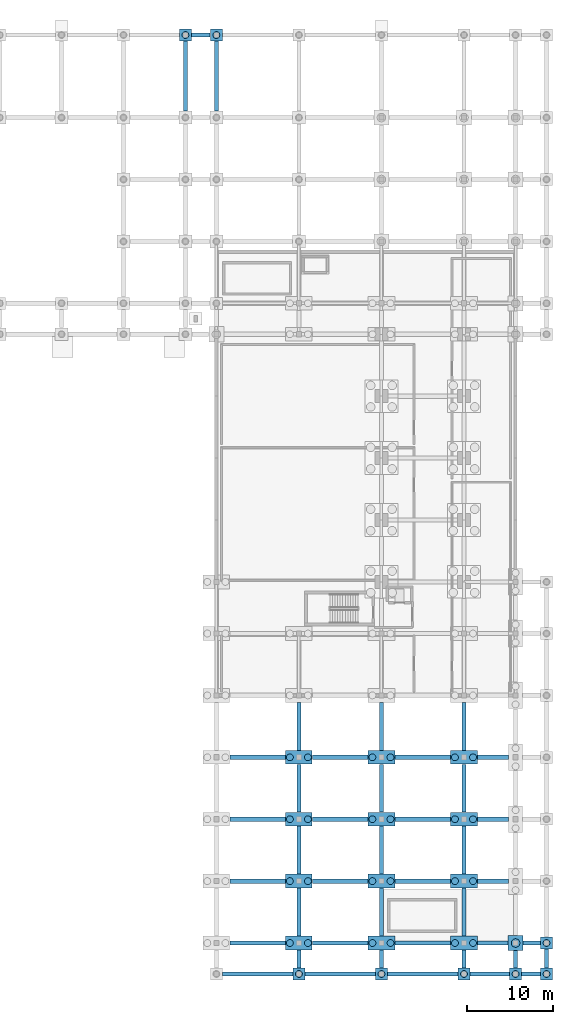
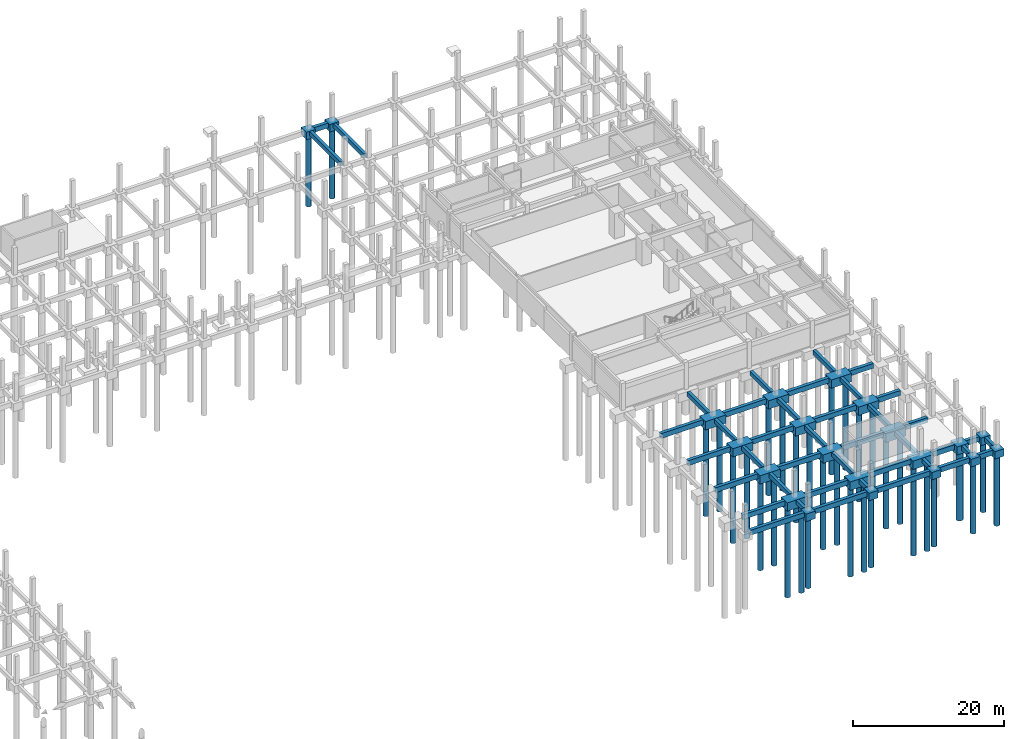
# One storey, part 8 of 20: 63 footings, 33 piles.
"""IFC4 building model written with IfcOpenShell, lengths in metres."""

import ifcopenshell
import ifcopenshell.guid

model = None  # the IFC model being written
_history = None  # IfcOwnerHistory: only IFC2X3 demands one
_inside = {}  # id of a spatial element -> (the spatial element, [elements in it])
_under = {}  # id of a project, library or spatial element -> (it, [spatial elements below it])
_declared = {}  # id of a project -> (the project, [libraries it declares])
_typed = {}  # id of a type object -> (the type object, [elements of that type])
_made_of = {}  # id of a material, layer set ... -> (it, [elements and type objects made of it])


def new_model(schema):
    """Start an empty IFC model of exactly this schema.

    Asked for "IFC4X3", IfcOpenShell would pick the latest addendum, in which some entities
    have other attributes; the version numbers below select the first issue.
    IFC2X3 requires an IfcOwnerHistory on every rooted entity: one is made here for all.
    """
    global model, _history
    if schema == "IFC4X3":
        model = ifcopenshell.file(schema_version=(4, 3, 0, 0))
    else:
        model = ifcopenshell.file(schema=schema)
    _inside.clear()
    _under.clear()
    _declared.clear()
    _typed.clear()
    _made_of.clear()
    _history = None
    if model.schema == "IFC2X3":
        org = make("IfcOrganization", Name="unknown")
        user = make(
            "IfcPersonAndOrganization",
            ThePerson=make("IfcPerson", FamilyName="unknown"),
            TheOrganization=org,
        )
        app = make(
            "IfcApplication",
            ApplicationDeveloper=org,
            Version="unknown",
            ApplicationFullName="unknown",
            ApplicationIdentifier="unknown",
        )
        _history = make(
            "IfcOwnerHistory",
            OwningUser=user,
            OwningApplication=app,
            ChangeAction="ADDED",
            CreationDate=0,
        )
    return model


def make(cls, **values):
    """One entity of the class cls with the attributes given. An attribute that is None is left unset."""
    return model.create_entity(
        cls, **{name: value for name, value in values.items() if value is not None}
    )


def rooted(cls, **values):
    """An entity with a GlobalId (a new one), such as an element, a storey or a relation."""
    return make(cls, GlobalId=ifcopenshell.guid.new(), OwnerHistory=_history, **values)


def si_unit(unit_type, name, prefix=None):
    """IfcSIUnit, for example si_unit("LENGTHUNIT", "METRE", prefix="MILLI")."""
    return make("IfcSIUnit", UnitType=unit_type, Prefix=prefix, Name=name)


def assignment(units):
    """IfcUnitAssignment: the units of a project."""
    return None if units is None else make("IfcUnitAssignment", Units=units)


def point(xyz):
    """IfcCartesianPoint."""
    return None if xyz is None else make("IfcCartesianPoint", Coordinates=xyz)


def direction(xyz):
    """IfcDirection."""
    return None if xyz is None else make("IfcDirection", DirectionRatios=xyz)


def frame(location, z_axis=None, x_axis=None):
    """IfcAxis2Placement3D, a coordinate frame: its origin and axes. An axis left out is left unset."""
    return make(
        "IfcAxis2Placement3D",
        Location=point(location),
        Axis=direction(z_axis),
        RefDirection=direction(x_axis),
    )


def frame_2d(location, x_axis=None):
    """IfcAxis2Placement2D, a coordinate frame in the plane: its origin and x axis."""
    return make(
        "IfcAxis2Placement2D", Location=point(location), RefDirection=direction(x_axis)
    )


def origin():
    """The frame at (0, 0, 0) with its axes left unset."""
    return frame((0.0, 0.0, 0.0))


def origin_2d():
    """The frame at (0, 0) in the plane with its x axis left unset."""
    return frame_2d((0.0, 0.0))


def place(relative_to, where):
    """IfcLocalPlacement: puts the frame where relative to a parent placement (None: the world)."""
    return make(
        "IfcLocalPlacement", PlacementRelTo=relative_to, RelativePlacement=where
    )


def context(
    kind, dimensions, precision=None, world=None, true_north=None, identifier=None
):
    """IfcGeometricRepresentationContext, for example the 3D "Model" context."""
    return make(
        "IfcGeometricRepresentationContext",
        ContextIdentifier=identifier,
        ContextType=kind,
        CoordinateSpaceDimension=dimensions,
        Precision=precision,
        WorldCoordinateSystem=world,
        TrueNorth=true_north,
    )


def subcontext(parent, identifier, kind, view, scale=None):
    """IfcGeometricRepresentationSubContext, for example "Body" below "Model"."""
    return make(
        "IfcGeometricRepresentationSubContext",
        ContextIdentifier=identifier,
        ContextType=kind,
        ParentContext=parent,
        TargetScale=scale,
        TargetView=view,
    )


def project(units=None, contexts=None):
    """IfcProject with its units and contexts."""
    return rooted(
        "IfcProject",
        Name="project",
        RepresentationContexts=contexts,
        UnitsInContext=assignment(units),
    )


def spatial(cls, under=None, at=None, **own):
    """A site, building, storey or space (cls), placed at a placement, below another one or the project."""
    s = rooted(cls, ObjectPlacement=at, **own)
    if under is not None:
        _under.setdefault(under.id(), (under, []))[1].append(s)
    return s


def polyline(points):
    """IfcPolyline through the points."""
    return make("IfcPolyline", Points=[point(p) for p in points])


def profile(cls, at=None, kind="AREA", **sizes):
    """A parametric profile (cls). Its sizes go by their IFC names, for example OverallWidth=200.0."""
    return make(cls, ProfileType=kind, Position=at, **sizes)


def rectangle(**sizes):
    """IfcRectangleProfileDef."""
    return profile("IfcRectangleProfileDef", **sizes)


def circle(**sizes):
    """IfcCircleProfileDef."""
    return profile("IfcCircleProfileDef", **sizes)


def outline(outer, holes=None, kind="AREA"):
    """IfcArbitraryClosedProfileDef: a profile drawn as a closed curve; with holes, ...WithVoids."""
    if holes is None:
        return make("IfcArbitraryClosedProfileDef", ProfileType=kind, OuterCurve=outer)
    return make(
        "IfcArbitraryProfileDefWithVoids",
        ProfileType=kind,
        OuterCurve=outer,
        InnerCurves=holes,
    )


def extrude(swept, where, along, depth):
    """IfcExtrudedAreaSolid: the profile swept, set in the frame where, extruded along a direction by depth."""
    return make(
        "IfcExtrudedAreaSolid",
        SweptArea=swept,
        Position=where,
        ExtrudedDirection=direction(along),
        Depth=depth,
    )


def shape(context_of_items, identifier, shape_type, items):
    """IfcShapeRepresentation: the items that make up one representation, for example the "Body"."""
    return make(
        "IfcShapeRepresentation",
        ContextOfItems=context_of_items,
        RepresentationIdentifier=identifier,
        RepresentationType=shape_type,
        Items=items,
    )


def material(Name=None, Category=None):
    """IfcMaterial."""
    return make("IfcMaterial", Name=Name, Category=Category)


def material_profile(
    of_material, cross_section, Name=None, Category=None, Priority=None
):
    """IfcMaterialProfile: a cross section and its material."""
    return make(
        "IfcMaterialProfile",
        Name=Name,
        Material=of_material,
        Profile=cross_section,
        Priority=Priority,
        Category=Category,
    )


def profile_set(profiles, Name=None, composite=None):
    """IfcMaterialProfileSet."""
    return make(
        "IfcMaterialProfileSet",
        Name=Name,
        MaterialProfiles=profiles,
        CompositeProfile=composite,
    )


def made_of(thing, what):
    """Note that an element or type object is made of a material, layer set ...; save() writes the relation."""
    if what is not None:
        _made_of.setdefault(what.id(), (what, []))[1].append(thing)
    return thing


def type_object(cls, material=None, **own):
    """A type object (cls), such as IfcWallType, which elements share."""
    return made_of(rooted(cls, **own), material)


def element(
    cls,
    number,
    at=None,
    inside=None,
    cuts=None,
    type_object=None,
    material=None,
    context=None,
    identifier="Body",
    shape_type=None,
    held_by="IfcProductDefinitionShape",
    body=None,
    shapes=None,
    **own,
):
    """One element of the class cls, such as IfcWall. Its Tag is "e" and its number.

    at: its placement. inside: the storey or other place that contains it. cuts: it is an
    opening in that element (IfcRelVoidsElement). A single representation is given by context,
    identifier, shape_type and body (its items); several are given by shapes. held_by: the class
    of the entity that holds the representations. save() writes the other relations.
    """
    e = rooted(cls, Tag="e%d" % number, ObjectPlacement=at, **own)
    if body is not None:
        shapes = [shape(context, identifier, shape_type, body)]
    if shapes is not None:
        e.Representation = make(held_by, Representations=shapes)
    if inside is not None:
        _inside.setdefault(inside.id(), (inside, []))[1].append(e)
    if cuts is not None:
        rooted(
            "IfcRelVoidsElement", RelatingBuildingElement=cuts, RelatedOpeningElement=e
        )
    if type_object is not None:
        _typed.setdefault(type_object.id(), (type_object, []))[1].append(e)
    return made_of(e, material)


def aggregate(whole, parts):
    """IfcRelAggregates: a whole, such as a stair, and the parts it consists of."""
    return rooted("IfcRelAggregates", RelatingObject=whole, RelatedObjects=parts)


def save(model, path):
    """Write the relations noted so far, then the file.

    IfcRelAggregates (storeys below a building ...), IfcRelContainedInSpatialStructure (elements
    in a storey), IfcRelDefinesByType, IfcRelAssociatesMaterial and IfcRelDeclares: one each for
    every whole, place, type object, material and project.
    """
    for whole, parts in _under.values():
        aggregate(whole, parts)
    for where, things in _inside.values():
        rooted(
            "IfcRelContainedInSpatialStructure",
            RelatedElements=things,
            RelatingStructure=where,
        )
    for kind, things in _typed.values():
        rooted("IfcRelDefinesByType", RelatedObjects=things, RelatingType=kind)
    for what, things in _made_of.values():
        rooted("IfcRelAssociatesMaterial", RelatedObjects=things, RelatingMaterial=what)
    for by, libraries in _declared.values():
        rooted("IfcRelDeclares", RelatingContext=by, RelatedDefinitions=libraries)
    model.write(path)


model = new_model("IFC4")

# Units and contexts
model_context = context("Model", 3, precision=1e-05, world=origin(), true_north=direction((0.0, 1.0)))
body_context = subcontext(model_context, "Body", "Model", "MODEL_VIEW")
ifc_project = project(units=[si_unit("LENGTHUNIT", "METRE"), si_unit("AREAUNIT", "SQUARE_METRE"), si_unit("VOLUMEUNIT", "CUBIC_METRE"), si_unit("PLANEANGLEUNIT", "RADIAN"), si_unit("MASSUNIT", "GRAM", prefix="KILO")], contexts=[model_context])

# Site, building, storey
site_placement = place(None, origin())
site = spatial("IfcSite", under=ifc_project, at=site_placement, CompositionType="ELEMENT")
building_placement = place(site_placement, origin())
building = spatial("IfcBuilding", under=site, at=building_placement, Name="Nzembalo Square Collegiate School", CompositionType="ELEMENT")
storey_placement = place(building_placement, frame((0.0, 0.0, -4.080078125)))
storey = spatial("IfcBuildingStorey", under=building, at=storey_placement, Name="B1", CompositionType="ELEMENT", Elevation=-4.080078125)

# Footings
ifc_material_1 = material(Name="Concrete C35/45", Category="concrete")
footing_type_1 = type_object("IfcFootingType", Name="PC03", PredefinedType="PILE_CAP", material=ifc_material_1)
for number, where, z_axis, x_axis, name in (
    (1, (140.39990234375, 8.39990234375, -1.64990234375), (0.0, 0.0, 1.0), (1.0, 0.0, 0.0), "Pile cap PC03 at 21/B"),
    (2, (140.39990234375, 15.60009765625, -1.64990234375), (0.0, 0.0, 1.0), (1.0, 0.0, 0.0), "Pile cap PC03 at 21/C"),
    (3, (140.39990234375, 22.800048828125, -1.64990234375), (0.0, 0.0, 1.0), (1.0, 0.0, 0.0), "Pile cap PC03 at 21/D"),
    (4, (140.39990234375, 30.0, -1.64990234375), (0.0, 0.0, 1.0), (1.0, 0.0, 0.0), "Pile cap PC03 at 21/E"),
    (5, (150.0, 8.39990234375, -1.64990234375), (0.0, 0.0, 1.0), (1.0, 0.0, 0.0), "Pile cap PC03 at 22/B"),
    (6, (150.0, 15.60009765625, -1.64990234375), (0.0, 0.0, 1.0), (1.0, 0.0, 0.0), "Pile cap PC03 at 22/C"),
    (7, (150.0, 22.800048828125, -1.64990234375), (0.0, 0.0, 1.0), (1.0, 0.0, 0.0), "Pile cap PC03 at 22/D"),
    (8, (150.0, 30.0, -1.64990234375), (0.0, 0.0, 1.0), (1.0, 0.0, 0.0), "Pile cap PC03 at 22/E"),
    (9, (159.60009765625, 8.39990234375, -1.64990234375), (0.0, 0.0, 1.0), (1.0, 0.0, 0.0), "Pile cap PC03 at 23/B"),
    (10, (159.60009765625, 15.60009765625, -1.64990234375), (0.0, 0.0, 1.0), (1.0, 0.0, 0.0), "Pile cap PC03 at 23/C"),
    (11, (159.60009765625, 22.800048828125, -1.64990234375), (0.0, 0.0, 1.0), (1.0, 0.0, 0.0), "Pile cap PC03 at 23/D"),
    (12, (159.60009765625, 30.0, -1.64990234375), (0.0, 0.0, 1.0), (1.0, 0.0, 0.0), "Pile cap PC03 at 23/E"),
):
    element("IfcFooting", number, at=place(storey_placement, frame(where, z_axis=z_axis, x_axis=x_axis)), inside=storey, type_object=footing_type_1, Name=name, PredefinedType="PILE_CAP", context=body_context, shape_type="SweptSolid", body=[
        extrude(rectangle(XDim=3.10009765625, YDim=1.60009765625, at=origin_2d()), origin(), (0.0, 0.0, 1.0), 1.35009765625),
    ])
ifc_material_2 = material(Name="Concrete C35/45", Category="concrete")
footing_type_2 = type_object("IfcFootingType", Name="PC05", PredefinedType="PILE_CAP", material=ifc_material_2)
footing_1_placement = place(storey_placement, frame((165.60009765625, 8.39990234375, -1.60009765625), z_axis=(0.0, 0.0, 1.0), x_axis=(1.0, 0.0, 0.0)))
element("IfcFooting", 13, at=footing_1_placement, inside=storey, type_object=footing_type_2, Name="Pile cap PC05 at 24/B", PredefinedType="PILE_CAP", context=body_context, shape_type="SweptSolid", body=[
    extrude(rectangle(XDim=1.75, YDim=1.75, at=origin_2d()), origin(), (0.0, 0.0, 1.0), 1.300048828125),
])
ifc_material_3 = material(Name="Concrete C35/45", Category="concrete")
footing_type_3 = type_object("IfcFootingType", Name="PC07", PredefinedType="PILE_CAP", material=ifc_material_3)
for number, where, z_axis, x_axis, name in (
    (14, (127.199951171875, 114.0, -1.5), (0.0, 0.0, 1.0), (1.0, 0.0, 0.0), "Pile cap PC07 at 19/Q"),
    (15, (130.800048828125, 114.0, -1.5), (0.0, 0.0, 1.0), (1.0, 0.0, 0.0), "Pile cap PC07 at 20/Q"),
    (16, (140.39990234375, 4.800048828125, -1.5), (0.0, 0.0, 1.0), (1.0, 0.0, 0.0), "Pile cap PC07 at 21/A"),
    (17, (150.0, 4.800048828125, -1.5), (0.0, 0.0, 1.0), (1.0, 0.0, 0.0), "Pile cap PC07 at 22/A"),
    (18, (159.60009765625, 4.800048828125, -1.5), (0.0, 0.0, 1.0), (1.0, 0.0, 0.0), "Pile cap PC07 at 23/A"),
    (19, (165.60009765625, 4.800048828125, -1.5), (0.0, 0.0, 1.0), (1.0, 0.0, 0.0), "Pile cap PC07 at 24/A"),
    (20, (169.199951171875, 4.800048828125, -1.5), (0.0, 0.0, 1.0), (1.0, 0.0, 0.0), "Pile cap PC07 at 25/A"),
    (21, (169.199951171875, 8.39990234375, -1.5), (0.0, 0.0, 1.0), (1.0, 0.0, 0.0), "Pile cap PC07 at 25/B"),
):
    element("IfcFooting", number, at=place(storey_placement, frame(where, z_axis=z_axis, x_axis=x_axis)), inside=storey, type_object=footing_type_3, Name=name, PredefinedType="PILE_CAP", context=body_context, shape_type="SweptSolid", body=[
        extrude(rectangle(XDim=1.39990234375, YDim=1.39990234375, at=origin_2d()), origin(), (0.0, 0.0, 1.0), 1.199951171875),
    ])
ifc_material_4 = material(Name="Concrete C30/37", Category="concrete")
footing_type_4 = type_object("IfcFootingType", Name="FG01", PredefinedType="FOOTING_BEAM", material=ifc_material_4)
footing_2_placement = place(storey_placement, frame((0.0, 0.0, -1.099853515625)))
element("IfcFooting", 22, at=footing_2_placement, inside=storey, type_object=footing_type_4, Name="Ground beam FG01 20-21/A", PredefinedType="FOOTING_BEAM", context=body_context, shape_type="SweptSolid", body=[
    extrude(outline(polyline([(131.510009765625, 4.550048828125), (139.68994140625, 4.550048828125), (139.68994140625, 5.050048828125), (131.510009765625, 5.050048828125), (131.510009765625, 4.550048828125)])), origin(), (0.0, 0.0, 1.0), 0.800048828125),
])
footing_3_placement = place(storey_placement, frame((0.0, 0.0, -1.099853515625)))
element("IfcFooting", 23, at=footing_3_placement, inside=storey, type_object=footing_type_4, Name="Ground beam FG01 21-22/A", PredefinedType="FOOTING_BEAM", context=body_context, shape_type="SweptSolid", body=[
    extrude(outline(polyline([(141.110107421875, 4.550048828125), (149.2900390625, 4.550048828125), (149.2900390625, 5.050048828125), (141.110107421875, 5.050048828125), (141.110107421875, 4.550048828125)])), origin(), (0.0, 0.0, 1.0), 0.800048828125),
])
footing_4_placement = place(storey_placement, frame((0.0, 0.0, -1.099853515625)))
element("IfcFooting", 24, at=footing_4_placement, inside=storey, type_object=footing_type_4, Name="Ground beam FG01 22-23/A", PredefinedType="FOOTING_BEAM", context=body_context, shape_type="SweptSolid", body=[
    extrude(outline(polyline([(150.7099609375, 4.550048828125), (158.889892578125, 4.550048828125), (158.889892578125, 5.050048828125), (150.7099609375, 5.050048828125), (150.7099609375, 4.550048828125)])), origin(), (0.0, 0.0, 1.0), 0.800048828125),
])
footing_5_placement = place(storey_placement, frame((0.0, 0.0, -1.099853515625)))
element("IfcFooting", 25, at=footing_5_placement, inside=storey, type_object=footing_type_4, Name="Ground beam FG01 23-24/A", PredefinedType="FOOTING_BEAM", context=body_context, shape_type="SweptSolid", body=[
    extrude(outline(polyline([(160.31005859375, 4.550048828125), (164.889892578125, 4.550048828125), (164.889892578125, 5.050048828125), (160.31005859375, 5.050048828125), (160.31005859375, 4.550048828125)])), origin(), (0.0, 0.0, 1.0), 0.800048828125),
])
footing_6_placement = place(storey_placement, frame((0.0, 0.0, -1.099853515625)))
element("IfcFooting", 26, at=footing_6_placement, inside=storey, type_object=footing_type_4, Name="Ground beam FG01 24-25/A", PredefinedType="FOOTING_BEAM", context=body_context, shape_type="SweptSolid", body=[
    extrude(outline(polyline([(166.31005859375, 4.550048828125), (168.489990234375, 4.550048828125), (168.489990234375, 5.050048828125), (166.31005859375, 5.050048828125), (166.31005859375, 4.550048828125)])), origin(), (0.0, 0.0, 1.0), 0.800048828125),
])
footing_7_placement = place(storey_placement, frame((0.0, 0.0, -1.099853515625)))
element("IfcFooting", 27, at=footing_7_placement, inside=storey, type_object=footing_type_4, Name="Ground beam FG01 20-21/B", PredefinedType="FOOTING_BEAM", context=body_context, shape_type="SweptSolid", body=[
    extrude(outline(polyline([(132.360107421875, 8.14990234375), (138.840087890625, 8.14990234375), (138.840087890625, 8.64990234375), (132.360107421875, 8.64990234375), (132.360107421875, 8.14990234375)])), origin(), (0.0, 0.0, 1.0), 0.800048828125),
])
footing_8_placement = place(storey_placement, frame((0.0, 0.0, -1.099853515625)))
element("IfcFooting", 28, at=footing_8_placement, inside=storey, type_object=footing_type_4, Name="Ground beam FG01 21-22/B", PredefinedType="FOOTING_BEAM", context=body_context, shape_type="SweptSolid", body=[
    extrude(outline(polyline([(141.9599609375, 8.14990234375), (148.43994140625, 8.14990234375), (148.43994140625, 8.64990234375), (141.9599609375, 8.64990234375), (141.9599609375, 8.14990234375)])), origin(), (0.0, 0.0, 1.0), 0.800048828125),
])
footing_9_placement = place(storey_placement, frame((0.0, 0.0, -1.099853515625)))
element("IfcFooting", 29, at=footing_9_placement, inside=storey, type_object=footing_type_4, Name="Ground beam FG01 22-23/B", PredefinedType="FOOTING_BEAM", context=body_context, shape_type="SweptSolid", body=[
    extrude(outline(polyline([(151.56005859375, 8.14990234375), (158.0400390625, 8.14990234375), (158.0400390625, 8.64990234375), (151.56005859375, 8.64990234375), (151.56005859375, 8.14990234375)])), origin(), (0.0, 0.0, 1.0), 0.800048828125),
])
footing_10_placement = place(storey_placement, frame((0.0, 0.0, -1.099853515625)))
element("IfcFooting", 30, at=footing_10_placement, inside=storey, type_object=footing_type_4, Name="Ground beam FG01 23-24/B", PredefinedType="FOOTING_BEAM", context=body_context, shape_type="SweptSolid", body=[
    extrude(outline(polyline([(161.159912109375, 8.14990234375), (164.715087890625, 8.14990234375), (164.715087890625, 8.64990234375), (161.159912109375, 8.64990234375), (161.159912109375, 8.14990234375)])), origin(), (0.0, 0.0, 1.0), 0.800048828125),
])
footing_11_placement = place(storey_placement, frame((0.0, 0.0, -1.099853515625)))
element("IfcFooting", 31, at=footing_11_placement, inside=storey, type_object=footing_type_4, Name="Ground beam FG01 24-25/B", PredefinedType="FOOTING_BEAM", context=body_context, shape_type="SweptSolid", body=[
    extrude(outline(polyline([(166.485107421875, 8.14990234375), (168.489990234375, 8.14990234375), (168.489990234375, 8.64990234375), (166.485107421875, 8.64990234375), (166.485107421875, 8.14990234375)])), origin(), (0.0, 0.0, 1.0), 0.800048828125),
])
footing_12_placement = place(storey_placement, frame((0.0, 0.0, -1.099853515625)))
element("IfcFooting", 32, at=footing_12_placement, inside=storey, type_object=footing_type_4, Name="Ground beam FG01 20-21/C", PredefinedType="FOOTING_BEAM", context=body_context, shape_type="SweptSolid", body=[
    extrude(outline(polyline([(132.360107421875, 15.35009765625), (138.840087890625, 15.35009765625), (138.840087890625, 15.85009765625), (132.360107421875, 15.85009765625), (132.360107421875, 15.35009765625)])), origin(), (0.0, 0.0, 1.0), 0.800048828125),
])
footing_13_placement = place(storey_placement, frame((0.0, 0.0, -1.099853515625)))
element("IfcFooting", 33, at=footing_13_placement, inside=storey, type_object=footing_type_4, Name="Ground beam FG01 21-22/C", PredefinedType="FOOTING_BEAM", context=body_context, shape_type="SweptSolid", body=[
    extrude(outline(polyline([(141.9599609375, 15.35009765625), (148.43994140625, 15.35009765625), (148.43994140625, 15.85009765625), (141.9599609375, 15.85009765625), (141.9599609375, 15.35009765625)])), origin(), (0.0, 0.0, 1.0), 0.800048828125),
])
footing_14_placement = place(storey_placement, frame((0.0, 0.0, -1.099853515625)))
element("IfcFooting", 34, at=footing_14_placement, inside=storey, type_object=footing_type_4, Name="Ground beam FG01 22-23/C", PredefinedType="FOOTING_BEAM", context=body_context, shape_type="SweptSolid", body=[
    extrude(outline(polyline([(151.56005859375, 15.35009765625), (158.0400390625, 15.35009765625), (158.0400390625, 15.85009765625), (151.56005859375, 15.85009765625), (151.56005859375, 15.35009765625)])), origin(), (0.0, 0.0, 1.0), 0.800048828125),
])
footing_15_placement = place(storey_placement, frame((0.0, 0.0, -1.099853515625)))
element("IfcFooting", 35, at=footing_15_placement, inside=storey, type_object=footing_type_4, Name="Ground beam FG01 23-24/C", PredefinedType="FOOTING_BEAM", context=body_context, shape_type="SweptSolid", body=[
    extrude(outline(polyline([(161.159912109375, 15.35009765625), (164.7900390625, 15.35009765625), (164.7900390625, 15.85009765625), (161.159912109375, 15.85009765625), (161.159912109375, 15.35009765625)])), origin(), (0.0, 0.0, 1.0), 0.800048828125),
])
footing_16_placement = place(storey_placement, frame((0.0, 0.0, -1.099853515625)))
element("IfcFooting", 36, at=footing_16_placement, inside=storey, type_object=footing_type_4, Name="Ground beam FG01 20-21/D", PredefinedType="FOOTING_BEAM", context=body_context, shape_type="SweptSolid", body=[
    extrude(outline(polyline([(132.360107421875, 22.550048828125), (138.840087890625, 22.550048828125), (138.840087890625, 23.050048828125), (132.360107421875, 23.050048828125), (132.360107421875, 22.550048828125)])), origin(), (0.0, 0.0, 1.0), 0.800048828125),
])
footing_17_placement = place(storey_placement, frame((0.0, 0.0, -1.099853515625)))
element("IfcFooting", 37, at=footing_17_placement, inside=storey, type_object=footing_type_4, Name="Ground beam FG01 21-22/D", PredefinedType="FOOTING_BEAM", context=body_context, shape_type="SweptSolid", body=[
    extrude(outline(polyline([(141.9599609375, 22.550048828125), (148.43994140625, 22.550048828125), (148.43994140625, 23.050048828125), (141.9599609375, 23.050048828125), (141.9599609375, 22.550048828125)])), origin(), (0.0, 0.0, 1.0), 0.800048828125),
])
footing_18_placement = place(storey_placement, frame((0.0, 0.0, -1.099853515625)))
element("IfcFooting", 38, at=footing_18_placement, inside=storey, type_object=footing_type_4, Name="Ground beam FG01 22-23/D", PredefinedType="FOOTING_BEAM", context=body_context, shape_type="SweptSolid", body=[
    extrude(outline(polyline([(151.56005859375, 22.550048828125), (158.0400390625, 22.550048828125), (158.0400390625, 23.050048828125), (151.56005859375, 23.050048828125), (151.56005859375, 22.550048828125)])), origin(), (0.0, 0.0, 1.0), 0.800048828125),
])
footing_19_placement = place(storey_placement, frame((0.0, 0.0, -1.099853515625)))
element("IfcFooting", 39, at=footing_19_placement, inside=storey, type_object=footing_type_4, Name="Ground beam FG01 23-24/D", PredefinedType="FOOTING_BEAM", context=body_context, shape_type="SweptSolid", body=[
    extrude(outline(polyline([(161.159912109375, 22.550048828125), (164.7900390625, 22.550048828125), (164.7900390625, 23.050048828125), (161.159912109375, 23.050048828125), (161.159912109375, 22.550048828125)])), origin(), (0.0, 0.0, 1.0), 0.800048828125),
])
footing_20_placement = place(storey_placement, frame((0.0, 0.0, -1.099853515625)))
element("IfcFooting", 40, at=footing_20_placement, inside=storey, type_object=footing_type_4, Name="Ground beam FG01 20-21/E", PredefinedType="FOOTING_BEAM", context=body_context, shape_type="SweptSolid", body=[
    extrude(outline(polyline([(132.360107421875, 29.75), (138.840087890625, 29.75), (138.840087890625, 30.25), (132.360107421875, 30.25), (132.360107421875, 29.75)])), origin(), (0.0, 0.0, 1.0), 0.800048828125),
])
footing_21_placement = place(storey_placement, frame((0.0, 0.0, -1.099853515625)))
element("IfcFooting", 41, at=footing_21_placement, inside=storey, type_object=footing_type_4, Name="Ground beam FG01 21-22/E", PredefinedType="FOOTING_BEAM", context=body_context, shape_type="SweptSolid", body=[
    extrude(outline(polyline([(141.9599609375, 29.75), (148.43994140625, 29.75), (148.43994140625, 30.25), (141.9599609375, 30.25), (141.9599609375, 29.75)])), origin(), (0.0, 0.0, 1.0), 0.800048828125),
])
footing_22_placement = place(storey_placement, frame((0.0, 0.0, -1.099853515625)))
element("IfcFooting", 42, at=footing_22_placement, inside=storey, type_object=footing_type_4, Name="Ground beam FG01 22-23/E", PredefinedType="FOOTING_BEAM", context=body_context, shape_type="SweptSolid", body=[
    extrude(outline(polyline([(151.56005859375, 29.75), (158.0400390625, 29.75), (158.0400390625, 30.25), (151.56005859375, 30.25), (151.56005859375, 29.75)])), origin(), (0.0, 0.0, 1.0), 0.800048828125),
])
footing_23_placement = place(storey_placement, frame((0.0, 0.0, -1.099853515625)))
element("IfcFooting", 43, at=footing_23_placement, inside=storey, type_object=footing_type_4, Name="Ground beam FG01 23-24/E", PredefinedType="FOOTING_BEAM", context=body_context, shape_type="SweptSolid", body=[
    extrude(outline(polyline([(161.159912109375, 29.75), (164.7900390625, 29.75), (164.7900390625, 30.25), (161.159912109375, 30.25), (161.159912109375, 29.75)])), origin(), (0.0, 0.0, 1.0), 0.800048828125),
])
footing_24_placement = place(storey_placement, frame((0.0, 0.0, -1.099853515625)))
element("IfcFooting", 44, at=footing_24_placement, inside=storey, type_object=footing_type_4, Name="Ground beam FG01 19-20/Q", PredefinedType="FOOTING_BEAM", context=body_context, shape_type="SweptSolid", body=[
    extrude(outline(polyline([(127.909912109375, 113.75), (130.090087890625, 113.75), (130.090087890625, 114.25), (127.909912109375, 114.25), (127.909912109375, 113.75)])), origin(), (0.0, 0.0, 1.0), 0.800048828125),
])
ifc_material_5 = material(Name="Concrete C30/37", Category="concrete")
footing_type_5 = type_object("IfcFootingType", Name="FG02", PredefinedType="FOOTING_BEAM", material=ifc_material_5)
footing_25_placement = place(storey_placement, frame((0.0, 0.0, -1.0)))
element("IfcFooting", 45, at=footing_25_placement, inside=storey, type_object=footing_type_5, Name="Ground beam FG02 19/P-Q", PredefinedType="FOOTING_BEAM", context=body_context, shape_type="SweptSolid", body=[
    extrude(outline(polyline([(126.97509765625, 105.159912109375), (127.425048828125, 105.159912109375), (127.425048828125, 113.2900390625), (126.97509765625, 113.2900390625), (126.97509765625, 105.159912109375)])), origin(), (0.0, 0.0, 1.0), 0.7001953125),
])
footing_26_placement = place(storey_placement, frame((0.0, 0.0, -1.0)))
element("IfcFooting", 46, at=footing_26_placement, inside=storey, type_object=footing_type_5, Name="Ground beam FG02 20/P-Q", PredefinedType="FOOTING_BEAM", context=body_context, shape_type="SweptSolid", body=[
    extrude(outline(polyline([(130.574951171875, 105.159912109375), (131.02490234375, 105.159912109375), (131.02490234375, 113.2900390625), (130.574951171875, 113.2900390625), (130.574951171875, 105.159912109375)])), origin(), (0.0, 0.0, 1.0), 0.7001953125),
])
footing_27_placement = place(storey_placement, frame((0.0, 0.0, -1.0)))
element("IfcFooting", 47, at=footing_27_placement, inside=storey, type_object=footing_type_5, Name="Ground beam FG02 21/A-B", PredefinedType="FOOTING_BEAM", context=body_context, shape_type="SweptSolid", body=[
    extrude(outline(polyline([(140.175048828125, 5.510009765625), (140.625, 5.510009765625), (140.625, 7.590087890625), (140.175048828125, 7.590087890625), (140.175048828125, 5.510009765625)])), origin(), (0.0, 0.0, 1.0), 0.7001953125),
])
footing_28_placement = place(storey_placement, frame((0.0, 0.0, -1.0)))
element("IfcFooting", 48, at=footing_28_placement, inside=storey, type_object=footing_type_5, Name="Ground beam FG02 21/B-C", PredefinedType="FOOTING_BEAM", context=body_context, shape_type="SweptSolid", body=[
    extrude(outline(polyline([(140.175048828125, 9.2099609375), (140.625, 9.2099609375), (140.625, 14.7900390625), (140.175048828125, 14.7900390625), (140.175048828125, 9.2099609375)])), origin(), (0.0, 0.0, 1.0), 0.7001953125),
])
footing_29_placement = place(storey_placement, frame((0.0, 0.0, -1.0)))
element("IfcFooting", 49, at=footing_29_placement, inside=storey, type_object=footing_type_5, Name="Ground beam FG02 21/C-D", PredefinedType="FOOTING_BEAM", context=body_context, shape_type="SweptSolid", body=[
    extrude(outline(polyline([(140.175048828125, 16.409912109375), (140.625, 16.409912109375), (140.625, 21.989990234375), (140.175048828125, 21.989990234375), (140.175048828125, 16.409912109375)])), origin(), (0.0, 0.0, 1.0), 0.7001953125),
])
footing_30_placement = place(storey_placement, frame((0.0, 0.0, -1.0)))
element("IfcFooting", 50, at=footing_30_placement, inside=storey, type_object=footing_type_5, Name="Ground beam FG02 21/D-E", PredefinedType="FOOTING_BEAM", context=body_context, shape_type="SweptSolid", body=[
    extrude(outline(polyline([(140.175048828125, 23.610107421875), (140.625, 23.610107421875), (140.625, 29.18994140625), (140.175048828125, 29.18994140625), (140.175048828125, 23.610107421875)])), origin(), (0.0, 0.0, 1.0), 0.7001953125),
])
footing_31_placement = place(storey_placement, frame((0.0, 0.0, -1.0)))
element("IfcFooting", 51, at=footing_31_placement, inside=storey, type_object=footing_type_5, Name="Ground beam FG02 21/E-F", PredefinedType="FOOTING_BEAM", context=body_context, shape_type="SweptSolid", body=[
    extrude(outline(polyline([(140.175048828125, 30.81005859375), (140.625, 30.81005859375), (140.625, 36.389892578125), (140.175048828125, 36.389892578125), (140.175048828125, 30.81005859375)])), origin(), (0.0, 0.0, 1.0), 0.7001953125),
])
footing_32_placement = place(storey_placement, frame((0.0, 0.0, -1.0)))
element("IfcFooting", 52, at=footing_32_placement, inside=storey, type_object=footing_type_5, Name="Ground beam FG02 22/A-B", PredefinedType="FOOTING_BEAM", context=body_context, shape_type="SweptSolid", body=[
    extrude(outline(polyline([(149.77490234375, 5.510009765625), (150.22509765625, 5.510009765625), (150.22509765625, 7.590087890625), (149.77490234375, 7.590087890625), (149.77490234375, 5.510009765625)])), origin(), (0.0, 0.0, 1.0), 0.7001953125),
])
footing_33_placement = place(storey_placement, frame((0.0, 0.0, -1.0)))
element("IfcFooting", 53, at=footing_33_placement, inside=storey, type_object=footing_type_5, Name="Ground beam FG02 22/B-C", PredefinedType="FOOTING_BEAM", context=body_context, shape_type="SweptSolid", body=[
    extrude(outline(polyline([(149.77490234375, 9.2099609375), (150.22509765625, 9.2099609375), (150.22509765625, 14.7900390625), (149.77490234375, 14.7900390625), (149.77490234375, 9.2099609375)])), origin(), (0.0, 0.0, 1.0), 0.7001953125),
])
footing_34_placement = place(storey_placement, frame((0.0, 0.0, -1.0)))
element("IfcFooting", 54, at=footing_34_placement, inside=storey, type_object=footing_type_5, Name="Ground beam FG02 22/C-D", PredefinedType="FOOTING_BEAM", context=body_context, shape_type="SweptSolid", body=[
    extrude(outline(polyline([(149.77490234375, 16.409912109375), (150.22509765625, 16.409912109375), (150.22509765625, 21.989990234375), (149.77490234375, 21.989990234375), (149.77490234375, 16.409912109375)])), origin(), (0.0, 0.0, 1.0), 0.7001953125),
])
footing_35_placement = place(storey_placement, frame((0.0, 0.0, -1.0)))
element("IfcFooting", 55, at=footing_35_placement, inside=storey, type_object=footing_type_5, Name="Ground beam FG02 22/D-E", PredefinedType="FOOTING_BEAM", context=body_context, shape_type="SweptSolid", body=[
    extrude(outline(polyline([(149.77490234375, 23.610107421875), (150.22509765625, 23.610107421875), (150.22509765625, 29.18994140625), (149.77490234375, 29.18994140625), (149.77490234375, 23.610107421875)])), origin(), (0.0, 0.0, 1.0), 0.7001953125),
])
footing_36_placement = place(storey_placement, frame((0.0, 0.0, -1.0)))
element("IfcFooting", 56, at=footing_36_placement, inside=storey, type_object=footing_type_5, Name="Ground beam FG02 22/E-F", PredefinedType="FOOTING_BEAM", context=body_context, shape_type="SweptSolid", body=[
    extrude(outline(polyline([(149.77490234375, 30.81005859375), (150.22509765625, 30.81005859375), (150.22509765625, 36.389892578125), (149.77490234375, 36.389892578125), (149.77490234375, 30.81005859375)])), origin(), (0.0, 0.0, 1.0), 0.7001953125),
])
footing_37_placement = place(storey_placement, frame((0.0, 0.0, -1.0)))
element("IfcFooting", 57, at=footing_37_placement, inside=storey, type_object=footing_type_5, Name="Ground beam FG02 23/A-B", PredefinedType="FOOTING_BEAM", context=body_context, shape_type="SweptSolid", body=[
    extrude(outline(polyline([(159.375, 5.510009765625), (159.824951171875, 5.510009765625), (159.824951171875, 7.590087890625), (159.375, 7.590087890625), (159.375, 5.510009765625)])), origin(), (0.0, 0.0, 1.0), 0.7001953125),
])
footing_38_placement = place(storey_placement, frame((0.0, 0.0, -1.0)))
element("IfcFooting", 58, at=footing_38_placement, inside=storey, type_object=footing_type_5, Name="Ground beam FG02 23/B-C", PredefinedType="FOOTING_BEAM", context=body_context, shape_type="SweptSolid", body=[
    extrude(outline(polyline([(159.375, 9.2099609375), (159.824951171875, 9.2099609375), (159.824951171875, 14.7900390625), (159.375, 14.7900390625), (159.375, 9.2099609375)])), origin(), (0.0, 0.0, 1.0), 0.7001953125),
])
footing_39_placement = place(storey_placement, frame((0.0, 0.0, -1.0)))
element("IfcFooting", 59, at=footing_39_placement, inside=storey, type_object=footing_type_5, Name="Ground beam FG02 23/C-D", PredefinedType="FOOTING_BEAM", context=body_context, shape_type="SweptSolid", body=[
    extrude(outline(polyline([(159.375, 16.409912109375), (159.824951171875, 16.409912109375), (159.824951171875, 21.989990234375), (159.375, 21.989990234375), (159.375, 16.409912109375)])), origin(), (0.0, 0.0, 1.0), 0.7001953125),
])
footing_40_placement = place(storey_placement, frame((0.0, 0.0, -1.0)))
element("IfcFooting", 60, at=footing_40_placement, inside=storey, type_object=footing_type_5, Name="Ground beam FG02 23/D-E", PredefinedType="FOOTING_BEAM", context=body_context, shape_type="SweptSolid", body=[
    extrude(outline(polyline([(159.375, 23.610107421875), (159.824951171875, 23.610107421875), (159.824951171875, 29.18994140625), (159.375, 29.18994140625), (159.375, 23.610107421875)])), origin(), (0.0, 0.0, 1.0), 0.7001953125),
])
footing_41_placement = place(storey_placement, frame((0.0, 0.0, -1.0)))
element("IfcFooting", 61, at=footing_41_placement, inside=storey, type_object=footing_type_5, Name="Ground beam FG02 23/E-F", PredefinedType="FOOTING_BEAM", context=body_context, shape_type="SweptSolid", body=[
    extrude(outline(polyline([(159.375, 30.81005859375), (159.824951171875, 30.81005859375), (159.824951171875, 36.389892578125), (159.375, 36.389892578125), (159.375, 30.81005859375)])), origin(), (0.0, 0.0, 1.0), 0.7001953125),
])
footing_42_placement = place(storey_placement, frame((0.0, 0.0, -1.0)))
element("IfcFooting", 62, at=footing_42_placement, inside=storey, type_object=footing_type_5, Name="Ground beam FG02 24/A-B", PredefinedType="FOOTING_BEAM", context=body_context, shape_type="SweptSolid", body=[
    extrude(outline(polyline([(165.375, 5.510009765625), (165.824951171875, 5.510009765625), (165.824951171875, 7.514892578125), (165.375, 7.514892578125), (165.375, 5.510009765625)])), origin(), (0.0, 0.0, 1.0), 0.7001953125),
])
footing_43_placement = place(storey_placement, frame((0.0, 0.0, -1.0)))
element("IfcFooting", 63, at=footing_43_placement, inside=storey, type_object=footing_type_5, Name="Ground beam FG02 25/A-B", PredefinedType="FOOTING_BEAM", context=body_context, shape_type="SweptSolid", body=[
    extrude(outline(polyline([(168.97509765625, 5.510009765625), (169.425048828125, 5.510009765625), (169.425048828125, 7.68994140625), (168.97509765625, 7.68994140625), (168.97509765625, 5.510009765625)])), origin(), (0.0, 0.0, 1.0), 0.7001953125),
])

# Piles
ifc_material_6 = material(Name="Concrete C30/37", Category="concrete")
ifc_material_profile_1 = material_profile(ifc_material_6, circle(Radius=0.5, at=origin_2d()), Name="PILE D1000")
ifc_profile_set_1 = profile_set([ifc_material_profile_1], Name="Concrete C30/37")
pile_type_1 = type_object("IfcPileType", Name="P01", PredefinedType="BORED", material=ifc_profile_set_1)
pile_1_placement = place(storey_placement, frame((165.60009765625, 8.39990234375, -1.5), z_axis=(0.0, 0.0, -1.0), x_axis=(1.0, 0.0, 0.0)))
element("IfcPile", 64, at=pile_1_placement, inside=storey, type_object=pile_type_1, Name="Bored pile P01-198", PredefinedType="BORED", context=body_context, shape_type="SweptSolid", body=[
    extrude(circle(Radius=0.5, at=origin_2d()), origin(), (0.0, 0.0, 1.0), 11.219970703125),
])
ifc_material_7 = material(Name="Concrete C30/37", Category="concrete")
ifc_material_profile_2 = material_profile(ifc_material_7, circle(Radius=0.39990234375, at=origin_2d()), Name="PILE D800")
ifc_profile_set_2 = profile_set([ifc_material_profile_2], Name="Concrete C30/37")
pile_type_2 = type_object("IfcPileType", Name="P02", PredefinedType="BORED", material=ifc_profile_set_2)
for number, where, z_axis, x_axis, name in (
    (65, (127.199951171875, 114.0, -1.39990234375), (0.0, 0.0, -1.0), (1.0, 0.0, 0.0), "Bored pile P02-066"),
    (66, (130.800048828125, 114.0, -1.39990234375), (0.0, 0.0, -1.0), (1.0, 0.0, 0.0), "Bored pile P02-101"),
    (67, (140.39990234375, 4.800048828125, -1.39990234375), (0.0, 0.0, -1.0), (1.0, 0.0, 0.0), "Bored pile P02-102"),
):
    element("IfcPile", number, at=place(storey_placement, frame(where, z_axis=z_axis, x_axis=x_axis)), inside=storey, type_object=pile_type_2, Name=name, PredefinedType="BORED", context=body_context, shape_type="SweptSolid", body=[
        extrude(circle(Radius=0.39990234375, at=origin_2d()), origin(), (0.0, 0.0, 1.0), 11.320068359375),
    ])
for number, where, z_axis, x_axis, name in (
    (68, (139.35009765625, 8.39990234375, -1.5498046875), (0.0, 0.0, -1.0), (1.0, 0.0, 0.0), "Bored pile P02-103"),
    (69, (141.449951171875, 8.39990234375, -1.5498046875), (0.0, 0.0, -1.0), (1.0, 0.0, 0.0), "Bored pile P02-104"),
    (70, (139.35009765625, 15.60009765625, -1.5498046875), (0.0, 0.0, -1.0), (1.0, 0.0, 0.0), "Bored pile P02-105"),
    (71, (141.449951171875, 15.60009765625, -1.5498046875), (0.0, 0.0, -1.0), (1.0, 0.0, 0.0), "Bored pile P02-106"),
    (72, (139.35009765625, 22.800048828125, -1.5498046875), (0.0, 0.0, -1.0), (1.0, 0.0, 0.0), "Bored pile P02-107"),
    (73, (141.449951171875, 22.800048828125, -1.5498046875), (0.0, 0.0, -1.0), (1.0, 0.0, 0.0), "Bored pile P02-108"),
    (74, (139.35009765625, 30.0, -1.5498046875), (0.0, 0.0, -1.0), (1.0, 0.0, 0.0), "Bored pile P02-109"),
    (75, (141.449951171875, 30.0, -1.5498046875), (0.0, 0.0, -1.0), (1.0, 0.0, 0.0), "Bored pile P02-110"),
):
    element("IfcPile", number, at=place(storey_placement, frame(where, z_axis=z_axis, x_axis=x_axis)), inside=storey, type_object=pile_type_2, Name=name, PredefinedType="BORED", context=body_context, shape_type="SweptSolid", body=[
        extrude(circle(Radius=0.39990234375, at=origin_2d()), origin(), (0.0, 0.0, 1.0), 14.449951171875),
    ])
pile_2_placement = place(storey_placement, frame((150.0, 4.800048828125, -1.39990234375), z_axis=(0.0, 0.0, -1.0), x_axis=(1.0, 0.0, 0.0)))
element("IfcPile", 76, at=pile_2_placement, inside=storey, type_object=pile_type_2, Name="Bored pile P02-123", PredefinedType="BORED", context=body_context, shape_type="SweptSolid", body=[
    extrude(circle(Radius=0.39990234375, at=origin_2d()), origin(), (0.0, 0.0, 1.0), 11.320068359375),
])
for number, where, z_axis, x_axis, name in (
    (77, (148.949951171875, 8.39990234375, -1.5498046875), (0.0, 0.0, -1.0), (1.0, 0.0, 0.0), "Bored pile P02-124"),
    (78, (151.050048828125, 8.39990234375, -1.5498046875), (0.0, 0.0, -1.0), (1.0, 0.0, 0.0), "Bored pile P02-125"),
    (79, (148.949951171875, 15.60009765625, -1.5498046875), (0.0, 0.0, -1.0), (1.0, 0.0, 0.0), "Bored pile P02-126"),
    (80, (151.050048828125, 15.60009765625, -1.5498046875), (0.0, 0.0, -1.0), (1.0, 0.0, 0.0), "Bored pile P02-127"),
    (81, (148.949951171875, 22.800048828125, -1.5498046875), (0.0, 0.0, -1.0), (1.0, 0.0, 0.0), "Bored pile P02-128"),
    (82, (151.050048828125, 22.800048828125, -1.5498046875), (0.0, 0.0, -1.0), (1.0, 0.0, 0.0), "Bored pile P02-129"),
    (83, (148.949951171875, 30.0, -1.5498046875), (0.0, 0.0, -1.0), (1.0, 0.0, 0.0), "Bored pile P02-130"),
    (84, (151.050048828125, 30.0, -1.5498046875), (0.0, 0.0, -1.0), (1.0, 0.0, 0.0), "Bored pile P02-131"),
):
    element("IfcPile", number, at=place(storey_placement, frame(where, z_axis=z_axis, x_axis=x_axis)), inside=storey, type_object=pile_type_2, Name=name, PredefinedType="BORED", context=body_context, shape_type="SweptSolid", body=[
        extrude(circle(Radius=0.39990234375, at=origin_2d()), origin(), (0.0, 0.0, 1.0), 14.449951171875),
    ])
pile_3_placement = place(storey_placement, frame((159.60009765625, 4.800048828125, -1.39990234375), z_axis=(0.0, 0.0, -1.0), x_axis=(1.0, 0.0, 0.0)))
element("IfcPile", 85, at=pile_3_placement, inside=storey, type_object=pile_type_2, Name="Bored pile P02-160", PredefinedType="BORED", context=body_context, shape_type="SweptSolid", body=[
    extrude(circle(Radius=0.39990234375, at=origin_2d()), origin(), (0.0, 0.0, 1.0), 11.320068359375),
])
for number, where, z_axis, x_axis, name in (
    (86, (158.550048828125, 8.39990234375, -1.5498046875), (0.0, 0.0, -1.0), (1.0, 0.0, 0.0), "Bored pile P02-161"),
    (87, (160.64990234375, 8.39990234375, -1.5498046875), (0.0, 0.0, -1.0), (1.0, 0.0, 0.0), "Bored pile P02-162"),
    (88, (158.550048828125, 15.60009765625, -1.5498046875), (0.0, 0.0, -1.0), (1.0, 0.0, 0.0), "Bored pile P02-163"),
    (89, (160.64990234375, 15.60009765625, -1.5498046875), (0.0, 0.0, -1.0), (1.0, 0.0, 0.0), "Bored pile P02-164"),
    (90, (158.550048828125, 22.800048828125, -1.5498046875), (0.0, 0.0, -1.0), (1.0, 0.0, 0.0), "Bored pile P02-165"),
    (91, (160.64990234375, 22.800048828125, -1.5498046875), (0.0, 0.0, -1.0), (1.0, 0.0, 0.0), "Bored pile P02-166"),
    (92, (158.550048828125, 30.0, -1.5498046875), (0.0, 0.0, -1.0), (1.0, 0.0, 0.0), "Bored pile P02-167"),
    (93, (160.64990234375, 30.0, -1.5498046875), (0.0, 0.0, -1.0), (1.0, 0.0, 0.0), "Bored pile P02-168"),
):
    element("IfcPile", number, at=place(storey_placement, frame(where, z_axis=z_axis, x_axis=x_axis)), inside=storey, type_object=pile_type_2, Name=name, PredefinedType="BORED", context=body_context, shape_type="SweptSolid", body=[
        extrude(circle(Radius=0.39990234375, at=origin_2d()), origin(), (0.0, 0.0, 1.0), 14.449951171875),
    ])
for number, where, z_axis, x_axis, name in (
    (94, (165.60009765625, 4.800048828125, -1.39990234375), (0.0, 0.0, -1.0), (1.0, 0.0, 0.0), "Bored pile P02-197"),
    (95, (169.199951171875, 4.800048828125, -1.39990234375), (0.0, 0.0, -1.0), (1.0, 0.0, 0.0), "Bored pile P02-217"),
    (96, (169.199951171875, 8.39990234375, -1.39990234375), (0.0, 0.0, -1.0), (1.0, 0.0, 0.0), "Bored pile P02-218"),
):
    element("IfcPile", number, at=place(storey_placement, frame(where, z_axis=z_axis, x_axis=x_axis)), inside=storey, type_object=pile_type_2, Name=name, PredefinedType="BORED", context=body_context, shape_type="SweptSolid", body=[
        extrude(circle(Radius=0.39990234375, at=origin_2d()), origin(), (0.0, 0.0, 1.0), 11.320068359375),
    ])

save(model, "model.ifc")
